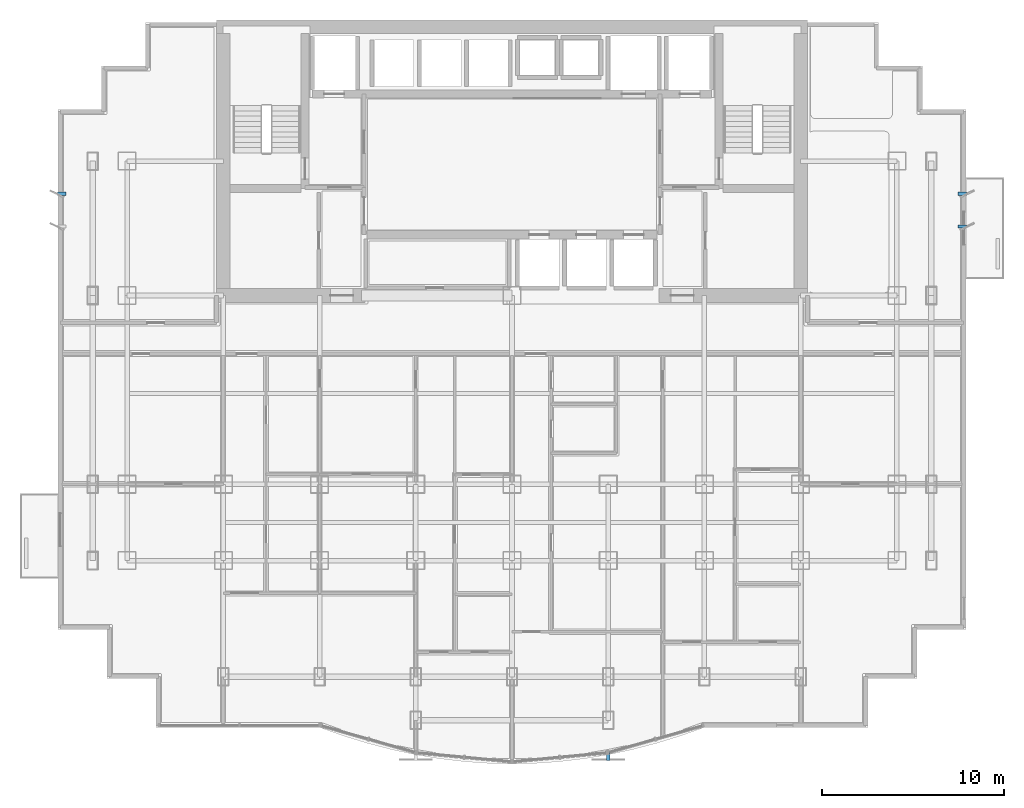
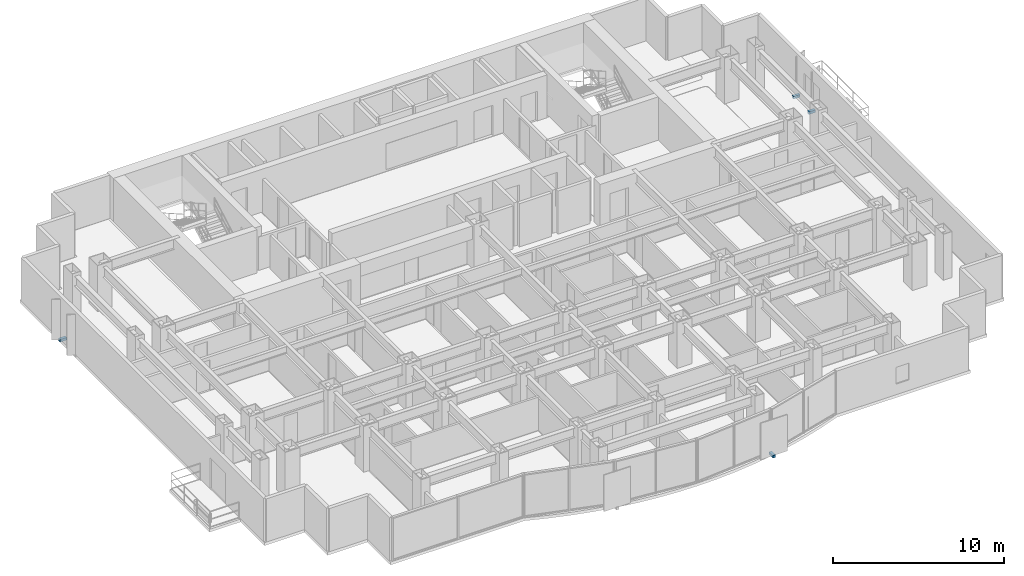
# One storey, part 8 of 10: 4 discrete accessories.
"""IFC4 building model written with IfcOpenShell, lengths in metres."""

from ifc_helpers import new_model, si_unit, direction, frame, origin, origin_2d, place, context, subcontext, project, spatial, rectangle, extrude, source, transform, mapped, material, type_object, element, save


model = new_model("IFC4")

# Units and contexts
model_context = context("Model", 3, precision=1e-05, world=origin(), true_north=direction((0.0, 1.0)))
body_context = subcontext(model_context, "Body", "Model", "MODEL_VIEW")
ifc_project = project(units=[si_unit("LENGTHUNIT", "METRE"), si_unit("AREAUNIT", "SQUARE_METRE"), si_unit("VOLUMEUNIT", "CUBIC_METRE"), si_unit("PLANEANGLEUNIT", "RADIAN"), si_unit("MASSUNIT", "GRAM", prefix="KILO")], contexts=[model_context])

# Site, building, storey
site_placement = place(None, origin())
site = spatial("IfcSite", under=ifc_project, at=site_placement, CompositionType="ELEMENT")
building_placement = place(site_placement, origin())
building = spatial("IfcBuilding", under=site, at=building_placement, Name="Qianlan Lanfeng Residences", CompositionType="ELEMENT")
storey_placement = place(building_placement, frame((0.0, 0.0, 98.199951171875)))
storey = spatial("IfcBuildingStorey", under=building, at=storey_placement, Name="L26", CompositionType="ELEMENT", Elevation=98.199951171875)

# Discrete accessories
ifc_material = material(Name="Stainless Steel Facade Bracket", Category="steel")
discrete_accessory_type = type_object("IfcDiscreteAccessoryType", Name="BRK-SS-350", PredefinedType="BRACKET", material=ifc_material)
shared_shape_1 = source(origin(), body_context, "Body", "SweptSolid", [
    extrude(rectangle(XDim=0.179931640625, YDim=0.449951171875, at=origin_2d()), origin(), (0.0, 0.0, 1.0), 0.179931640625),
])
discrete_accessory_placement = place(storey_placement, frame((31.800048828125, -0.199951171875, -0.14990234375), z_axis=(0.0, 0.0, 1.0), x_axis=(1.0, 0.0, 0.0)))
element("IfcDiscreteAccessory", 1, at=discrete_accessory_placement, inside=storey, type_object=discrete_accessory_type, Name="L26 Solar Screen Support Bracket 2", PredefinedType="BRACKET", context=body_context, shape_type="MappedRepresentation", body=[
    mapped(shared_shape_1, transform((0.0, 0.0, 0.0), scale=1.0)),
])
shared_shape_2 = source(origin(), body_context, "Body", "SweptSolid", [
    extrude(rectangle(XDim=0.449951171875, YDim=0.179931640625, at=origin_2d()), origin(), (0.0, 0.0, 1.0), 0.179931640625),
])
for number, where, z_axis, x_axis, name in (
    (2, (1.699951171875, 30.800048828125, -0.14990234375), (0.0, 0.0, 1.0), (1.0, 0.0, 0.0), "L26 Raked Solar Fin Support Bracket W2"),
    (3, (51.300048828125, 29.0, -0.14990234375), (0.0, 0.0, 1.0), (1.0, 0.0, 0.0), "L26 Raked Solar Fin Support Bracket E1"),
    (4, (51.300048828125, 30.800048828125, -0.14990234375), (0.0, 0.0, 1.0), (1.0, 0.0, 0.0), "L26 Raked Solar Fin Support Bracket E2"),
):
    element("IfcDiscreteAccessory", number, at=place(storey_placement, frame(where, z_axis=z_axis, x_axis=x_axis)), inside=storey, type_object=discrete_accessory_type, Name=name, PredefinedType="BRACKET", context=body_context, shape_type="MappedRepresentation", body=[
        mapped(shared_shape_2, transform((0.0, 0.0, 0.0), scale=1.0)),
    ])

save(model, "model.ifc")
